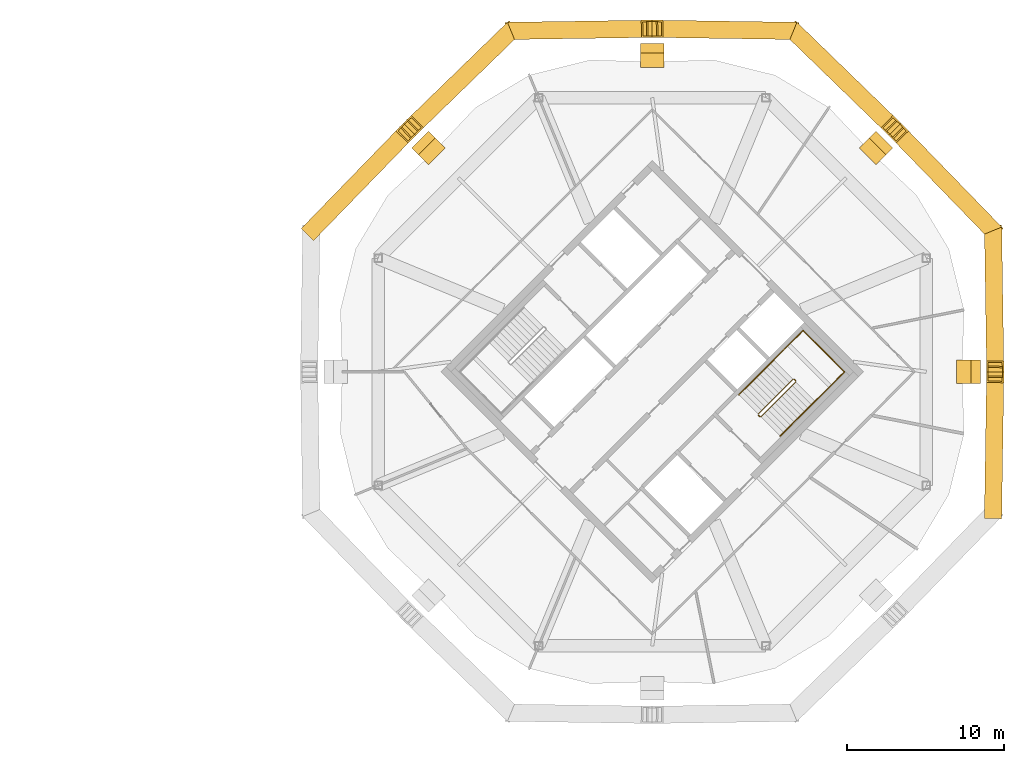
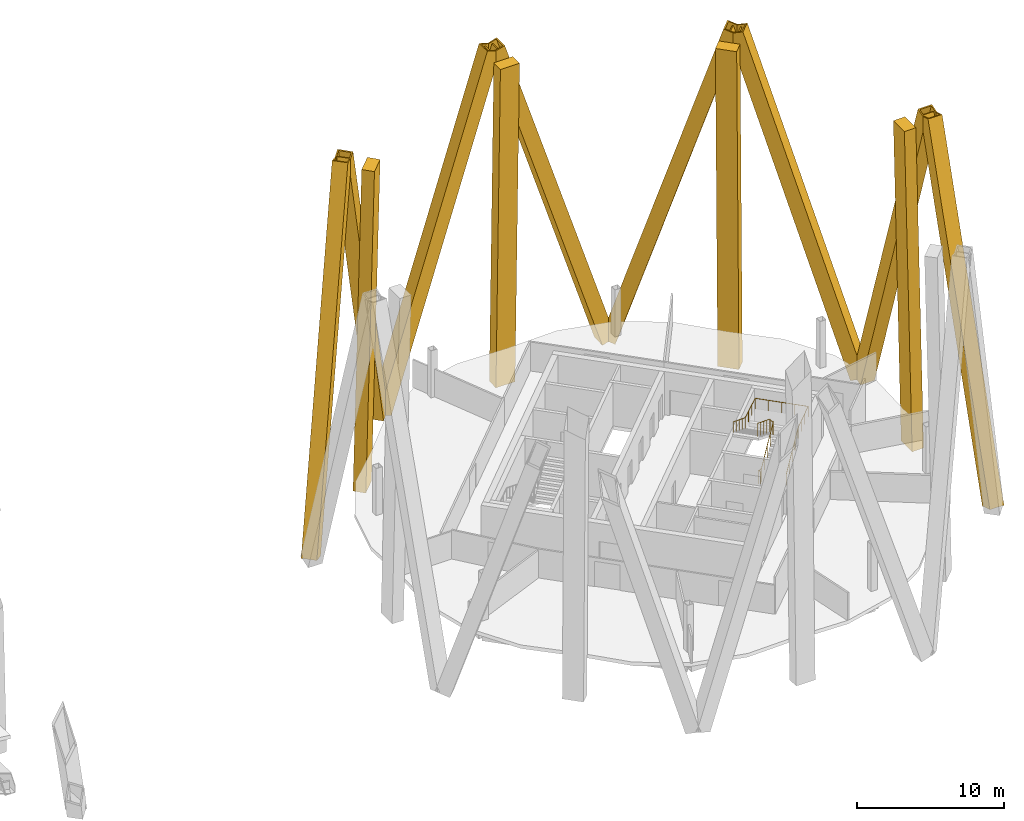
# One storey, part 11 of 11: 12 coverings, 2 railings.
"""IFC4 building model written with IfcOpenShell, lengths in metres."""

from ifc_helpers import new_model, si_unit, direction, frame, origin, origin_2d, place, context, subcontext, project, spatial, rectangle, hollow_rectangle, circle, extrude, material, material_profile, profile_set, type_object, element, save


model = new_model("IFC4")

# Units and contexts
model_context = context("Model", 3, precision=1e-05, world=origin(), true_north=direction((0.0, 1.0)))
body_context = subcontext(model_context, "Body", "Model", "MODEL_VIEW")
ifc_project = project(units=[si_unit("LENGTHUNIT", "METRE"), si_unit("AREAUNIT", "SQUARE_METRE"), si_unit("VOLUMEUNIT", "CUBIC_METRE"), si_unit("PLANEANGLEUNIT", "RADIAN"), si_unit("MASSUNIT", "GRAM", prefix="KILO")], contexts=[model_context])

# Site, building, storey
site_placement = place(None, origin())
site = spatial("IfcSite", under=ifc_project, at=site_placement, CompositionType="ELEMENT")
building_placement = place(site_placement, origin())
building = spatial("IfcBuilding", under=site, at=building_placement, Name="Ogive Gate Towers", CompositionType="ELEMENT")
storey_placement = place(building_placement, frame((0.0, 0.0, 244.5)))
storey = spatial("IfcBuildingStorey", under=building, at=storey_placement, Name="L58", CompositionType="ELEMENT", Elevation=244.5)

# Coverings
ifc_material_1 = material(Name="Pale metal aluminium", Category="aluminium")
ifc_material_profile_1 = material_profile(ifc_material_1, rectangle(XDim=1.5, YDim=0.89990234375, at=origin_2d()), Name="1500 x 900 pale metal aluminium")
ifc_profile_set_1 = profile_set([ifc_material_profile_1], Name="Pale metal aluminium")
covering_type_1 = type_object("IfcCoveringType", Name="Crease colonnette 1500 x 900", PredefinedType="CLADDING", material=ifc_profile_set_1)
for number, where, z_axis, x_axis, name in (
    (1, (56.419921875, 0.0, -3.199951171875), (-0.022750161439, 0.0, 0.999741181584), (0.0, -1.0, 0.0), "Crease colonnette"),
    (2, (50.439208984375, 14.439208984375, -3.199951171875), (-0.016092685203, -0.016092685203, 0.99974099194), (0.707106781187, -0.707106781187, 0.0), "Crease colonnette"),
    (3, (36.0, 20.419921875, -3.199951171875), (0.0, -0.022750161439, 0.999741181584), (1.0, 0.0, 0.0), "Crease colonnette"),
    (4, (21.560791015625, 14.439208984375, -3.199951171875), (0.016092685203, -0.016092685203, 0.99974099194), (0.707106781187, 0.707106781187, 0.0), "Crease colonnette"),
):
    element("IfcCovering", number, at=place(storey_placement, frame(where, z_axis=z_axis, x_axis=x_axis)), inside=storey, type_object=covering_type_1, Name=name, PredefinedType="CLADDING", context=body_context, shape_type="SweptSolid", body=[
        extrude(rectangle(XDim=1.5, YDim=0.89990234375, at=origin_2d()), origin(), (0.0, 0.0, 1.0), 26.806884765625),
    ])
ifc_material_2 = material(Name="Pale metal aluminium cladding", Category="aluminium")
ifc_material_profile_2 = material_profile(ifc_material_2, hollow_rectangle(XDim=1.10009765625, YDim=1.10009765625, WallThickness=0.10009765625, at=origin_2d()), Name="1100 x 1100 pale metal casing")
ifc_profile_set_2 = profile_set([ifc_material_profile_2], Name="Pale metal aluminium cladding")
covering_type_2 = type_object("IfcCoveringType", Name="Diagrid casing 1100 x 1100", PredefinedType="CLADDING", material=ifc_profile_set_2)
for number, where, z_axis, x_axis, name in (
    (5, (57.6767578125, 8.81103515625, -3.3759765625), (0.00459236537, -0.303361717632, 0.952864407172), (0.999885436391, 0.015136515206, 0.0), "Diagrid casing"),
    (6, (57.55810546875, 9.09765625, -3.3759765625), (-0.211266365975, 0.217743670407, 0.95286631623), (-0.717701064185, -0.696351335511, 0.0), "Diagrid casing"),
    (7, (45.09765625, 21.55810546875, -3.3759765625), (0.217743670407, -0.211266365975, 0.95286631623), (0.696351335511, 0.717701064185, 0.0), "Diagrid casing"),
    (8, (44.81103515625, 21.6767578125, -3.3759765625), (-0.303361717632, 0.00459236537, 0.952864407172), (-0.015136515206, -0.999885436391, 0.0), "Diagrid casing"),
    (9, (27.18896484375, 21.6767578125, -3.3759765625), (0.303361717632, 0.00459236537, 0.952864407172), (-0.015136515206, 0.999885436391, 0.0), "Diagrid casing"),
    (10, (26.90234375, 21.55810546875, -3.3759765625), (-0.217743670407, -0.211266365975, 0.95286631623), (0.696351335511, -0.717701064185, 0.0), "Diagrid casing"),
    (11, (14.44189453125, 9.09765625, -3.3759765625), (0.211266365975, 0.217743670407, 0.95286631623), (-0.717701064185, 0.696351335511, 0.0), "Diagrid casing"),
    (12, (57.6767578125, -8.81103515625, -3.3759765625), (0.00459236537, 0.303361717632, 0.952864407172), (-0.999885436391, 0.015136515206, 0.0), "Diagrid casing"),
):
    element("IfcCovering", number, at=place(storey_placement, frame(where, z_axis=z_axis, x_axis=x_axis)), inside=storey, type_object=covering_type_2, Name=name, PredefinedType="CLADDING", context=body_context, shape_type="SweptSolid", body=[
        extrude(hollow_rectangle(XDim=1.10009765625, YDim=1.10009765625, WallThickness=0.10009765625, at=origin_2d()), origin(), (0.0, 0.0, 1.0), 28.494873046875),
    ])

# Railings
ifc_material_3 = material(Name="Stainless steel", Category="steel")
railing_type_1 = type_object("IfcRailingType", Name="Stair guard 1100", PredefinedType="GUARDRAIL", material=ifc_material_3)
railing_1_placement = place(storey_placement, frame((42.84130859375, -2.8603515625, 0.0)))
element("IfcRailing", 13, at=railing_1_placement, inside=storey, type_object=railing_type_1, Name="L58 ST2 stair guard 1", PredefinedType="GUARDRAIL", context=body_context, shape_type="SweptSolid", body=[
    extrude(circle(Radius=0.02392578125, at=origin_2d()), frame((0.0, 0.0, 1.076171875), z_axis=(-0.707106781187, 0.707106781187, 0.0), x_axis=(-0.707106781187, -0.707106781187, 0.0)), (0.0, 0.0, 1.0), 0.14501953125),
    extrude(circle(Radius=0.02392578125, at=origin_2d()), frame((-0.1025390625, 0.1025390625, 1.076171875), z_axis=(0.645571447971, -0.382425963537, 0.661050594114), x_axis=(0.509669330572, 0.860370369942, 0.0)), (0.0, 0.0, 1.0), 0.26806640625),
    extrude(circle(Radius=0.02392578125, at=origin_2d()), frame((0.070556640625, 0.0, 1.25341796875), z_axis=(0.61558473135, 0.61558473135, 0.49204763698), x_axis=(-0.707106781187, 0.707106781187, 0.0)), (0.0, 0.0, 1.0), 3.602783203125),
    extrude(circle(Radius=0.02392578125, at=origin_2d()), frame((2.288330078125, 2.2177734375, 3.02587890625), z_axis=(0.0, 1.0, 0.0), x_axis=(-1.0, 0.0, 0.0)), (0.0, 0.0, 1.0), 0.07080078125),
    extrude(circle(Radius=0.02392578125, at=origin_2d()), frame((2.288330078125, 2.28857421875, 3.02587890625), z_axis=(-0.707106781187, 0.707106781187, 0.0), x_axis=(-0.707106781187, -0.707106781187, 0.0)), (0.0, 0.0, 1.0), 0.14501953125),
    extrude(circle(Radius=0.02392578125, at=origin_2d()), frame((2.185791015625, 2.39111328125, 3.02587890625), z_axis=(-0.369845645421, 0.0, 0.929093213065), x_axis=(0.0, -1.0, 0.0)), (0.0, 0.0, 1.0), 0.190673828125),
    extrude(circle(Radius=0.02392578125, at=origin_2d()), frame((2.115234375, 2.39111328125, 3.203125), z_axis=(-0.61558473135, -0.61558473135, 0.49204763698), x_axis=(0.707106781187, -0.707106781187, 0.0)), (0.0, 0.0, 1.0), 3.602783203125),
    extrude(circle(Radius=0.02099609375, at=origin_2d()), origin(), (0.0, 0.0, 1.0), 1.052001953125),
    extrude(circle(Radius=0.02099609375, at=origin_2d()), frame((-0.1025390625, 0.1025390625, 0.0)), (0.0, 0.0, 1.0), 1.052001953125),
    extrude(circle(Radius=0.02099609375, at=origin_2d()), frame((0.070556640625, 0.0, 0.17724609375)), (0.0, 0.0, 1.0), 1.052001953125),
    extrude(circle(Radius=0.02099609375, at=origin_2d()), frame((0.625, 0.554443359375, 0.620361328125)), (0.0, 0.0, 1.0), 1.052001953125),
    extrude(circle(Radius=0.02099609375, at=origin_2d()), frame((1.179443359375, 1.10888671875, 1.0634765625)), (0.0, 0.0, 1.0), 1.052001953125),
    extrude(circle(Radius=0.02099609375, at=origin_2d()), frame((1.73388671875, 1.663330078125, 1.5068359375)), (0.0, 0.0, 1.0), 1.052001953125),
    extrude(circle(Radius=0.02099609375, at=origin_2d()), frame((2.288330078125, 2.2177734375, 1.949951171875)), (0.0, 0.0, 1.0), 1.052001953125),
    extrude(circle(Radius=0.02099609375, at=origin_2d()), frame((2.288330078125, 2.28857421875, 1.949951171875)), (0.0, 0.0, 1.0), 1.052001953125),
    extrude(circle(Radius=0.02099609375, at=origin_2d()), frame((2.185791015625, 2.39111328125, 1.949951171875)), (0.0, 0.0, 1.0), 1.052001953125),
    extrude(circle(Radius=0.02099609375, at=origin_2d()), frame((2.115234375, 2.39111328125, 2.127197265625)), (0.0, 0.0, 1.0), 1.052001953125),
    extrude(circle(Radius=0.02099609375, at=origin_2d()), frame((1.560791015625, 1.836669921875, 2.5703125)), (0.0, 0.0, 1.0), 1.052001953125),
    extrude(circle(Radius=0.02099609375, at=origin_2d()), frame((1.00634765625, 1.2822265625, 3.013671875)), (0.0, 0.0, 1.0), 1.052001953125),
    extrude(circle(Radius=0.02099609375, at=origin_2d()), frame((0.451904296875, 0.727783203125, 3.456787109375)), (0.0, 0.0, 1.0), 1.052001953125),
    extrude(circle(Radius=0.02099609375, at=origin_2d()), frame((-0.1025390625, 0.17333984375, 3.89990234375)), (0.0, 0.0, 1.0), 1.052001953125),
])
railing_type_2 = type_object("IfcRailingType", Name="Stair handrail 900", PredefinedType="HANDRAIL", material=ifc_material_3)
railing_2_placement = place(storey_placement, frame((44.142333984375, -4.090576171875, 0.17724609375)))
element("IfcRailing", 14, at=railing_2_placement, inside=storey, type_object=railing_type_2, Name="L58 ST2 stair handrail 1", PredefinedType="HANDRAIL", context=body_context, shape_type="SweptSolid", body=[
    extrude(circle(Radius=0.02392578125, at=origin_2d()), frame((0.0, 0.0, 0.8759765625), z_axis=(0.61558473135, 0.61558473135, 0.49204763698), x_axis=(-0.707106781187, 0.707106781187, 0.0)), (0.0, 0.0, 1.0), 3.602783203125),
    extrude(circle(Radius=0.02392578125, at=origin_2d()), frame((2.2177734375, 2.2177734375, 2.6484375), z_axis=(0.707106781187, 0.707106781187, 0.0), x_axis=(-0.707106781187, 0.707106781187, 0.0)), (0.0, 0.0, 1.0), 2.6484375),
    extrude(circle(Radius=0.02392578125, at=origin_2d()), frame((4.090576171875, 4.090576171875, 2.6484375), z_axis=(-0.707106781187, 0.707106781187, 0.0), x_axis=(-0.707106781187, -0.707106781187, 0.0)), (0.0, 0.0, 1.0), 3.72509765625),
    extrude(circle(Radius=0.02392578125, at=origin_2d()), frame((1.45654296875, 6.724609375, 2.6484375), z_axis=(-0.705482886452, -0.705574853978, 0.066768423356), x_axis=(0.70715286629, -0.70706069308, 0.0)), (0.0, 0.0, 1.0), 2.654541015625),
    extrude(circle(Radius=0.02392578125, at=origin_2d()), frame((-0.416259765625, 4.8515625, 2.82568359375), z_axis=(-0.615610411033, -0.615542642384, 0.4920681632), x_axis=(0.70706785752, -0.70714570271, 0.0)), (0.0, 0.0, 1.0), 3.6025390625),
    extrude(circle(Radius=0.02099609375, at=origin_2d()), origin(), (0.0, 0.0, 1.0), 0.851806640625),
    extrude(circle(Radius=0.02099609375, at=origin_2d()), frame((0.554443359375, 0.554443359375, 0.443115234375)), (0.0, 0.0, 1.0), 0.851806640625),
    extrude(circle(Radius=0.02099609375, at=origin_2d()), frame((1.10888671875, 1.10888671875, 0.88623046875)), (0.0, 0.0, 1.0), 0.851806640625),
    extrude(circle(Radius=0.02099609375, at=origin_2d()), frame((1.663330078125, 1.663330078125, 1.32958984375)), (0.0, 0.0, 1.0), 0.851806640625),
    extrude(circle(Radius=0.02099609375, at=origin_2d()), frame((2.2177734375, 2.2177734375, 1.772705078125)), (0.0, 0.0, 1.0), 0.851806640625),
    extrude(circle(Radius=0.02099609375, at=origin_2d()), frame((2.842041015625, 2.842041015625, 1.772705078125)), (0.0, 0.0, 1.0), 0.851806640625),
    extrude(circle(Radius=0.02099609375, at=origin_2d()), frame((3.46630859375, 3.46630859375, 1.772705078125)), (0.0, 0.0, 1.0), 0.851806640625),
    extrude(circle(Radius=0.02099609375, at=origin_2d()), frame((4.090576171875, 4.090576171875, 1.772705078125)), (0.0, 0.0, 1.0), 0.851806640625),
    extrude(circle(Radius=0.02099609375, at=origin_2d()), frame((3.43212890625, 4.7490234375, 1.772705078125)), (0.0, 0.0, 1.0), 0.851806640625),
    extrude(circle(Radius=0.02099609375, at=origin_2d()), frame((2.7734375, 5.40771484375, 1.772705078125)), (0.0, 0.0, 1.0), 0.851806640625),
    extrude(circle(Radius=0.02099609375, at=origin_2d()), frame((2.114990234375, 6.066162109375, 1.772705078125)), (0.0, 0.0, 1.0), 0.851806640625),
    extrude(circle(Radius=0.02099609375, at=origin_2d()), frame((1.45654296875, 6.724609375, 1.772705078125)), (0.0, 0.0, 1.0), 0.851806640625),
    extrude(circle(Radius=0.02099609375, at=origin_2d()), frame((0.832275390625, 6.100341796875, 1.831787109375)), (0.0, 0.0, 1.0), 0.851806640625),
    extrude(circle(Radius=0.02099609375, at=origin_2d()), frame((0.2080078125, 5.475830078125, 1.890869140625)), (0.0, 0.0, 1.0), 0.851806640625),
    extrude(circle(Radius=0.02099609375, at=origin_2d()), frame((-0.416259765625, 4.8515625, 1.949951171875)), (0.0, 0.0, 1.0), 0.851806640625),
    extrude(circle(Radius=0.02099609375, at=origin_2d()), frame((-0.970703125, 4.297119140625, 2.39306640625)), (0.0, 0.0, 1.0), 0.851806640625),
    extrude(circle(Radius=0.02099609375, at=origin_2d()), frame((-1.525146484375, 3.74267578125, 2.83642578125)), (0.0, 0.0, 1.0), 0.851806640625),
    extrude(circle(Radius=0.02099609375, at=origin_2d()), frame((-2.07958984375, 3.1884765625, 3.279541015625)), (0.0, 0.0, 1.0), 0.851806640625),
    extrude(circle(Radius=0.02099609375, at=origin_2d()), frame((-2.634033203125, 2.634033203125, 3.72265625)), (0.0, 0.0, 1.0), 0.851806640625),
])

save(model, "model.ifc")
